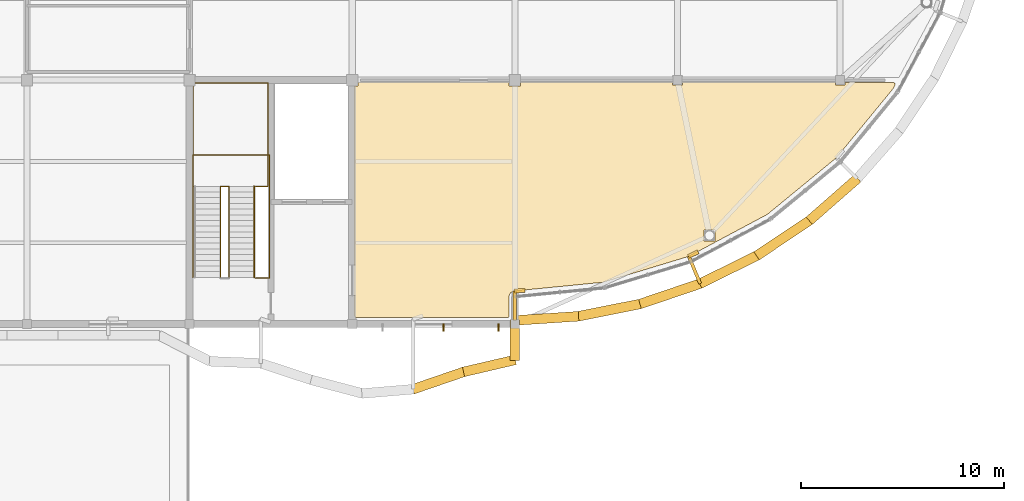
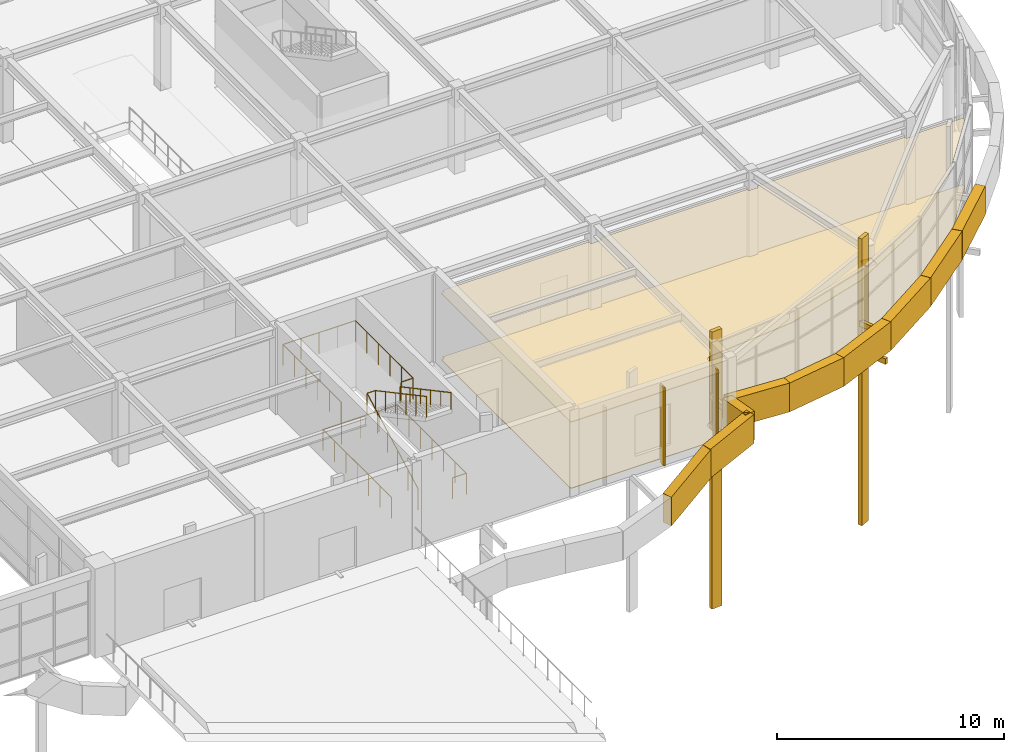
# One storey, part 57 of 63: 17 coverings, 4 railings, 2 shading devices.
"""IFC4 building model written with IfcOpenShell, lengths in metres."""

from ifc_helpers import new_model, si_unit, direction, frame, frame_2d, origin, origin_2d, place, context, subcontext, project, spatial, polyline, rectangle, circle, outline, extrude, material, layer, layer_set, type_object, element, save


model = new_model("IFC4")

# Units and contexts
model_context = context("Model", 3, precision=1e-05, world=origin(), true_north=direction((0.0, 1.0)))
body_context = subcontext(model_context, "Body", "Model", "MODEL_VIEW")
ifc_project = project(units=[si_unit("LENGTHUNIT", "METRE"), si_unit("AREAUNIT", "SQUARE_METRE"), si_unit("VOLUMEUNIT", "CUBIC_METRE"), si_unit("PLANEANGLEUNIT", "RADIAN"), si_unit("MASSUNIT", "GRAM", prefix="KILO")], contexts=[model_context])

# Site, building, storey
site_placement = place(None, origin())
site = spatial("IfcSite", under=ifc_project, at=site_placement, CompositionType="ELEMENT")
building_placement = place(site_placement, origin())
building = spatial("IfcBuilding", under=site, at=building_placement, Name="Keelwater Ferry Terminal", CompositionType="ELEMENT")
storey_placement = place(building_placement, frame((0.0, 0.0, 10.199951171875)))
storey = spatial("IfcBuildingStorey", under=building, at=storey_placement, Name="L02", CompositionType="ELEMENT", Elevation=10.199951171875)

# Coverings
ifc_material_1 = material(Name="Perforated acoustic gypsum board ceiling", Category="gypsum")
ifc_layer_1 = layer(ifc_material_1, 0.044921875)
ifc_layer_set_1 = layer_set([ifc_layer_1], Name="Perforated acoustic gypsum board ceiling")
covering_type_1 = type_object("IfcCoveringType", Name="CL-AC Acoustic Baffle Ceiling", PredefinedType="CEILING", material=ifc_layer_set_1)
covering_1_placement = place(storey_placement, frame((0.0, 0.0, 3.550048828125)))
element("IfcCovering", 1, at=covering_1_placement, inside=storey, type_object=covering_type_1, Name="Marine Chandlery Shop Acoustic Ceiling", PredefinedType="CEILING", context=body_context, shape_type="SweptSolid", body=[
    extrude(outline(polyline([(163.715087890625, 53.87890625), (163.715087890625, 53.715087890625), (164.284912109375, 53.715087890625), (164.284912109375, 53.87890625), (164.287109375, 53.8798828125), (164.294921875, 53.8798828125), (171.7548828125, 53.8798828125), (171.762939453125, 53.8798828125), (171.764892578125, 53.87890625), (171.764892578125, 53.764892578125), (172.235107421875, 53.764892578125), (172.235107421875, 53.87890625), (172.237060546875, 53.8798828125), (172.2451171875, 53.8798828125), (179.7548828125, 53.8798828125), (179.762939453125, 53.8798828125), (179.764892578125, 53.87890625), (179.764892578125, 53.764892578125), (180.235107421875, 53.764892578125), (180.235107421875, 53.87890625), (180.237060546875, 53.8798828125), (180.2451171875, 53.8798828125), (182.6298828125, 53.8798828125), (182.637939453125, 53.8798828125), (182.64599609375, 53.8779296875), (182.653076171875, 53.876953125), (182.660888671875, 53.8740234375), (182.66796875, 53.87109375), (182.674072265625, 53.866943359375), (182.680908203125, 53.862060546875), (182.68701171875, 53.85693359375), (182.69189453125, 53.85107421875), (182.697021484375, 53.843994140625), (182.700927734375, 53.837890625), (182.7041015625, 53.8310546875), (182.70703125, 53.822998046875), (182.7080078125, 53.81591796875), (182.7099609375, 53.80810546875), (182.7099609375, 53.800048828125), (182.7099609375, 53.7919921875), (182.7080078125, 53.783935546875), (182.70703125, 53.777099609375), (182.7041015625, 53.76904296875), (182.700927734375, 53.761962890625), (182.60302734375, 53.5791015625), (182.597900390625, 53.572998046875), (182.593994140625, 53.56591796875), (179.822021484375, 50.18896484375), (179.81689453125, 50.18310546875), (179.81103515625, 50.177978515625), (176.43408203125, 47.406005859375), (176.427001953125, 47.40087890625), (176.4208984375, 47.39697265625), (173.998046875, 46.10205078125), (173.889892578125, 46.0439453125), (173.883056640625, 46.041015625), (173.875, 46.0380859375), (173.867919921875, 46.037109375), (173.861083984375, 46.035888671875), (173.85693359375, 46.030029296875), (173.85107421875, 46.02490234375), (173.843994140625, 46.02001953125), (173.841064453125, 46.01806640625), (172.56103515625, 45.333984375), (172.56103515625, 45.333984375), (172.55908203125, 45.333984375), (170.467041015625, 44.698974609375), (168.37109375, 44.06298828125), (168.364013671875, 44.06201171875), (168.35595703125, 44.06005859375), (166.347900390625, 43.862060546875), (163.972900390625, 43.62890625), (163.945068359375, 43.625), (163.9189453125, 43.617919921875), (163.89306640625, 43.60888671875), (163.867919921875, 43.596923828125), (163.843994140625, 43.5830078125), (163.822021484375, 43.56591796875), (163.802001953125, 43.548095703125), (163.783935546875, 43.528076171875), (163.76708984375, 43.506103515625), (163.7529296875, 43.48193359375), (163.740966796875, 43.45703125), (163.73193359375, 43.430908203125), (163.72509765625, 43.405029296875), (163.720947265625, 43.376953125), (163.719970703125, 43.35009765625), (163.719970703125, 43.345947265625), (163.719970703125, 42.39990234375), (163.719970703125, 42.39208984375), (163.718017578125, 42.384033203125), (163.717041015625, 42.376953125), (163.714111328125, 42.368896484375), (163.7109375, 42.362060546875), (163.70703125, 42.35595703125), (163.701904296875, 42.34912109375), (163.697021484375, 42.343017578125), (163.69091796875, 42.337890625), (163.68408203125, 42.3330078125), (163.677978515625, 42.3291015625), (163.6708984375, 42.325927734375), (163.6630859375, 42.322998046875), (163.656005859375, 42.322021484375), (163.64794921875, 42.320068359375), (163.639892578125, 42.320068359375), (156.199951171875, 42.320068359375), (156.19189453125, 42.320068359375), (156.18408203125, 42.322021484375), (156.177001953125, 42.322998046875), (156.1689453125, 42.325927734375), (156.162109375, 42.3291015625), (156.156005859375, 42.3330078125), (156.14892578125, 42.337890625), (156.14306640625, 42.343017578125), (156.137939453125, 42.34912109375), (156.133056640625, 42.35595703125), (156.12890625, 42.362060546875), (156.1259765625, 42.368896484375), (156.123046875, 42.376953125), (156.1220703125, 42.384033203125), (156.1201171875, 42.39208984375), (156.1201171875, 42.39990234375), (156.1201171875, 53.705078125), (156.1201171875, 53.712890625), (156.12109375, 53.715087890625), (156.284912109375, 53.715087890625), (156.284912109375, 53.87890625), (156.287109375, 53.8798828125), (156.294921875, 53.8798828125), (163.705078125, 53.8798828125), (163.712890625, 53.8798828125), (163.715087890625, 53.87890625)]), holes=[polyline([(173.31396484375, 46.625), (173.31396484375, 46.096923828125), (173.842041015625, 46.096923828125), (173.842041015625, 46.625), (173.31396484375, 46.625)])]), origin(), (0.0, 0.0, 1.0), 0.044921875),
])
ifc_material_2 = material(Name="Polished mineral terrazzo tile", Category="stone")
ifc_layer_2 = layer(ifc_material_2, 0.030029296875)
ifc_layer_set_2 = layer_set([ifc_layer_2], Name="Polished mineral terrazzo tile")
covering_type_2 = type_object("IfcCoveringType", Name="FL-TZ Marine Terrazzo Flooring", PredefinedType="FLOORING", material=ifc_layer_set_2)
covering_2_placement = place(storey_placement, origin())
element("IfcCovering", 2, at=covering_2_placement, inside=storey, type_object=covering_type_2, Name="Marine Chandlery Shop Terrazzo Floor", PredefinedType="FLOORING", context=body_context, shape_type="SweptSolid", body=[
    extrude(outline(polyline([(163.715087890625, 53.87890625), (163.715087890625, 53.715087890625), (164.284912109375, 53.715087890625), (164.284912109375, 53.87890625), (164.287109375, 53.8798828125), (164.294921875, 53.8798828125), (171.7548828125, 53.8798828125), (171.762939453125, 53.8798828125), (171.764892578125, 53.87890625), (171.764892578125, 53.764892578125), (172.235107421875, 53.764892578125), (172.235107421875, 53.87890625), (172.237060546875, 53.8798828125), (172.2451171875, 53.8798828125), (179.7548828125, 53.8798828125), (179.762939453125, 53.8798828125), (179.764892578125, 53.87890625), (179.764892578125, 53.764892578125), (180.235107421875, 53.764892578125), (180.235107421875, 53.87890625), (180.237060546875, 53.8798828125), (180.2451171875, 53.8798828125), (182.6298828125, 53.8798828125), (182.637939453125, 53.8798828125), (182.64599609375, 53.8779296875), (182.653076171875, 53.876953125), (182.660888671875, 53.8740234375), (182.66796875, 53.87109375), (182.674072265625, 53.866943359375), (182.680908203125, 53.862060546875), (182.68701171875, 53.85693359375), (182.69189453125, 53.85107421875), (182.697021484375, 53.843994140625), (182.700927734375, 53.837890625), (182.7041015625, 53.8310546875), (182.70703125, 53.822998046875), (182.7080078125, 53.81591796875), (182.7099609375, 53.80810546875), (182.7099609375, 53.800048828125), (182.7099609375, 53.7919921875), (182.7080078125, 53.783935546875), (182.70703125, 53.777099609375), (182.7041015625, 53.76904296875), (182.700927734375, 53.761962890625), (182.60302734375, 53.5791015625), (182.597900390625, 53.572998046875), (182.593994140625, 53.56591796875), (179.822021484375, 50.18896484375), (179.81689453125, 50.18310546875), (179.81103515625, 50.177978515625), (176.43408203125, 47.406005859375), (176.427001953125, 47.40087890625), (176.4208984375, 47.39697265625), (173.998046875, 46.10205078125), (173.889892578125, 46.0439453125), (173.883056640625, 46.041015625), (173.875, 46.0380859375), (173.867919921875, 46.037109375), (173.861083984375, 46.035888671875), (173.85693359375, 46.030029296875), (173.85107421875, 46.02490234375), (173.843994140625, 46.02001953125), (173.841064453125, 46.01806640625), (172.56103515625, 45.333984375), (172.56103515625, 45.333984375), (172.55908203125, 45.333984375), (170.467041015625, 44.698974609375), (168.37109375, 44.06298828125), (168.364013671875, 44.06201171875), (168.35595703125, 44.06005859375), (166.347900390625, 43.862060546875), (163.972900390625, 43.62890625), (163.945068359375, 43.625), (163.9189453125, 43.617919921875), (163.89306640625, 43.60888671875), (163.867919921875, 43.596923828125), (163.843994140625, 43.5830078125), (163.822021484375, 43.56591796875), (163.802001953125, 43.548095703125), (163.783935546875, 43.528076171875), (163.76708984375, 43.506103515625), (163.7529296875, 43.48193359375), (163.740966796875, 43.45703125), (163.73193359375, 43.430908203125), (163.72509765625, 43.405029296875), (163.720947265625, 43.376953125), (163.719970703125, 43.35009765625), (163.719970703125, 43.345947265625), (163.719970703125, 42.39990234375), (163.719970703125, 42.39208984375), (163.718017578125, 42.384033203125), (163.717041015625, 42.376953125), (163.714111328125, 42.368896484375), (163.7109375, 42.362060546875), (163.70703125, 42.35595703125), (163.701904296875, 42.34912109375), (163.697021484375, 42.343017578125), (163.69091796875, 42.337890625), (163.68408203125, 42.3330078125), (163.677978515625, 42.3291015625), (163.6708984375, 42.325927734375), (163.6630859375, 42.322998046875), (163.656005859375, 42.322021484375), (163.64794921875, 42.320068359375), (163.639892578125, 42.320068359375), (156.199951171875, 42.320068359375), (156.19189453125, 42.320068359375), (156.18408203125, 42.322021484375), (156.177001953125, 42.322998046875), (156.1689453125, 42.325927734375), (156.162109375, 42.3291015625), (156.156005859375, 42.3330078125), (156.14892578125, 42.337890625), (156.14306640625, 42.343017578125), (156.137939453125, 42.34912109375), (156.133056640625, 42.35595703125), (156.12890625, 42.362060546875), (156.1259765625, 42.368896484375), (156.123046875, 42.376953125), (156.1220703125, 42.384033203125), (156.1201171875, 42.39208984375), (156.1201171875, 42.39990234375), (156.1201171875, 53.705078125), (156.1201171875, 53.712890625), (156.12109375, 53.715087890625), (156.284912109375, 53.715087890625), (156.284912109375, 53.87890625), (156.287109375, 53.8798828125), (156.294921875, 53.8798828125), (163.705078125, 53.8798828125), (163.712890625, 53.8798828125), (163.715087890625, 53.87890625)]), holes=[polyline([(173.31396484375, 46.625), (173.31396484375, 46.096923828125), (173.842041015625, 46.096923828125), (173.842041015625, 46.625), (173.31396484375, 46.625)])]), origin(), (0.0, 0.0, 1.0), 0.030029296875),
])

# Shading devices
ifc_material_3 = material(Name="Anodised aluminium solar fin", Category="aluminium")
ifc_layer_3 = layer(ifc_material_3, 0.074951171875)
ifc_layer_set_3 = layer_set([ifc_layer_3], Name="Anodised aluminium solar fin")
shading_device_type = type_object("IfcShadingDeviceType", Name="FN-SOL Vertical Solar Shading Fin", PredefinedType="USERDEFINED", material=ifc_layer_set_3)
for number, where, z_axis, x_axis, name in (
    (3, (160.5, 41.830078125, 0.10009765625), (0.0, 0.0, 1.0), (1.0, 0.0, 0.0), "Anodised Solar Shading Fin 24"),
    (4, (163.199951171875, 41.830078125, 0.10009765625), (0.0, 0.0, 1.0), (1.0, 0.0, 0.0), "Anodised Solar Shading Fin 26"),
):
    element("IfcShadingDevice", number, at=place(storey_placement, frame(where, z_axis=z_axis, x_axis=x_axis)), inside=storey, type_object=shading_device_type, Name=name, ObjectType="FIN", PredefinedType="USERDEFINED", context=body_context, shape_type="SweptSolid", body=[
        extrude(rectangle(XDim=0.074951171875, YDim=0.360107421875, at=origin_2d()), origin(), (0.0, 0.0, 1.0), 4.199951171875),
    ])

# Railings
ifc_material_4 = material(Name="Painted Steel S355", Category="steel")
railing_type_1 = type_object("IfcRailingType", Name="GR-115 Stair Well Guardrail", PredefinedType="GUARDRAIL", material=ifc_material_4)
railing_1_placement = place(storey_placement, frame((148.159912109375, 44.300048828125, 0.0)))
element("IfcRailing", 5, at=railing_1_placement, inside=storey, type_object=railing_type_1, Name="Stair ST-C4-L01 Shaft Perimeter Guard 81", PredefinedType="GUARDRAIL", context=body_context, shape_type="SweptSolid", body=[
    extrude(circle(Radius=0.02392578125, at=origin_2d()), frame((0.0, 0.0, 1.1259765625), z_axis=(0.0, 1.0, 0.0), x_axis=(-1.0, 0.0, 0.0)), (0.0, 0.0, 1.0), 6.02001953125),
    extrude(circle(Radius=0.02392578125, at=origin_2d()), frame((0.0, 6.02001953125, 1.1259765625), z_axis=(1.0, 0.0, 0.0), x_axis=(0.0, 1.0, 0.0)), (0.0, 0.0, 1.0), 3.780029296875),
    extrude(circle(Radius=0.02392578125, at=origin_2d()), frame((3.780029296875, 6.02001953125, 1.1259765625), z_axis=(0.0, -1.0, 0.0), x_axis=(1.0, 0.0, 0.0)), (0.0, 0.0, 1.0), 6.06005859375),
    extrude(circle(Radius=0.02392578125, at=origin_2d()), frame((3.780029296875, -0.0400390625, 1.1259765625), z_axis=(-1.0, 0.0, 0.0), x_axis=(0.0, -1.0, 0.0)), (0.0, 0.0, 1.0), 0.699951171875),
    extrude(circle(Radius=0.02099609375, at=origin_2d()), origin(), (0.0, 0.0, 1.0), 1.101806640625),
    extrude(circle(Radius=0.02099609375, at=origin_2d()), frame((0.0, 1.00341796875, 0.0)), (0.0, 0.0, 1.0), 1.101806640625),
    extrude(circle(Radius=0.02099609375, at=origin_2d()), frame((0.0, 2.006591796875, 0.0)), (0.0, 0.0, 1.0), 1.101806640625),
    extrude(circle(Radius=0.02099609375, at=origin_2d()), frame((0.0, 3.010009765625, 0.0)), (0.0, 0.0, 1.0), 1.101806640625),
    extrude(circle(Radius=0.02099609375, at=origin_2d()), frame((0.0, 4.013427734375, 0.0)), (0.0, 0.0, 1.0), 1.101806640625),
    extrude(circle(Radius=0.02099609375, at=origin_2d()), frame((0.0, 5.0166015625, 0.0)), (0.0, 0.0, 1.0), 1.101806640625),
    extrude(circle(Radius=0.02099609375, at=origin_2d()), frame((0.0, 6.02001953125, 0.0)), (0.0, 0.0, 1.0), 1.101806640625),
    extrude(circle(Radius=0.02099609375, at=origin_2d()), frame((0.945068359375, 6.02001953125, 0.0)), (0.0, 0.0, 1.0), 1.101806640625),
    extrude(circle(Radius=0.02099609375, at=origin_2d()), frame((1.89013671875, 6.02001953125, 0.0)), (0.0, 0.0, 1.0), 1.101806640625),
    extrude(circle(Radius=0.02099609375, at=origin_2d()), frame((2.8349609375, 6.02001953125, 0.0)), (0.0, 0.0, 1.0), 1.101806640625),
    extrude(circle(Radius=0.02099609375, at=origin_2d()), frame((3.780029296875, 6.02001953125, 0.0)), (0.0, 0.0, 1.0), 1.101806640625),
    extrude(circle(Radius=0.02099609375, at=origin_2d()), frame((3.780029296875, 5.010009765625, 0.0)), (0.0, 0.0, 1.0), 1.101806640625),
    extrude(circle(Radius=0.02099609375, at=origin_2d()), frame((3.780029296875, 4.0, 0.0)), (0.0, 0.0, 1.0), 1.101806640625),
    extrude(circle(Radius=0.02099609375, at=origin_2d()), frame((3.780029296875, 2.989990234375, 0.0)), (0.0, 0.0, 1.0), 1.101806640625),
    extrude(circle(Radius=0.02099609375, at=origin_2d()), frame((3.780029296875, 1.97998046875, 0.0)), (0.0, 0.0, 1.0), 1.101806640625),
    extrude(circle(Radius=0.02099609375, at=origin_2d()), frame((3.780029296875, 0.969970703125, 0.0)), (0.0, 0.0, 1.0), 1.101806640625),
    extrude(circle(Radius=0.02099609375, at=origin_2d()), frame((3.780029296875, -0.0400390625, 0.0)), (0.0, 0.0, 1.0), 1.101806640625),
    extrude(circle(Radius=0.02099609375, at=origin_2d()), frame((3.080078125, -0.0400390625, 0.0)), (0.0, 0.0, 1.0), 1.101806640625),
])
railing_2_placement = place(storey_placement, frame((149.510009765625, 44.300048828125, 0.0)))
element("IfcRailing", 6, at=railing_2_placement, inside=storey, type_object=railing_type_1, Name="Stair ST-C4-L02 Inner Well Guard 82", PredefinedType="GUARDRAIL", context=body_context, shape_type="SweptSolid", body=[
    extrude(circle(Radius=0.02392578125, at=origin_2d()), frame((0.0, 0.0, 1.1259765625), z_axis=(0.0, 0.881467115574, 0.472245406714), x_axis=(-1.0, 0.0, 0.0)), (0.0, 0.0, 1.0), 5.08251953125),
    extrude(circle(Radius=0.02392578125, at=origin_2d()), frame((0.0, 4.47998046875, 3.52587890625), z_axis=(1.0, 0.0, 0.0), x_axis=(0.0, 1.0, 0.0)), (0.0, 0.0, 1.0), 0.419921875),
    extrude(circle(Radius=0.02392578125, at=origin_2d()), frame((0.419921875, 4.47998046875, 3.52587890625), z_axis=(0.0, -0.881487111273, 0.472208081951), x_axis=(1.0, 0.0, 0.0)), (0.0, 0.0, 1.0), 5.082275390625),
    extrude(circle(Radius=0.02099609375, at=origin_2d()), origin(), (0.0, 0.0, 1.0), 1.101806640625),
    extrude(circle(Radius=0.02099609375, at=origin_2d()), frame((0.0, 0.89599609375, 0.47998046875)), (0.0, 0.0, 1.0), 1.101806640625),
    extrude(circle(Radius=0.02099609375, at=origin_2d()), frame((0.0, 1.7919921875, 0.9599609375)), (0.0, 0.0, 1.0), 1.101806640625),
    extrude(circle(Radius=0.02099609375, at=origin_2d()), frame((0.0, 2.68798828125, 1.440185546875)), (0.0, 0.0, 1.0), 1.101806640625),
    extrude(circle(Radius=0.02099609375, at=origin_2d()), frame((0.0, 3.583984375, 1.920166015625)), (0.0, 0.0, 1.0), 1.101806640625),
    extrude(circle(Radius=0.02099609375, at=origin_2d()), frame((0.0, 4.47998046875, 2.400146484375)), (0.0, 0.0, 1.0), 1.101806640625),
    extrude(circle(Radius=0.02099609375, at=origin_2d()), frame((0.419921875, 4.47998046875, 2.400146484375)), (0.0, 0.0, 1.0), 1.101806640625),
    extrude(circle(Radius=0.02099609375, at=origin_2d()), frame((0.419921875, 3.583984375, 2.880126953125)), (0.0, 0.0, 1.0), 1.101806640625),
    extrude(circle(Radius=0.02099609375, at=origin_2d()), frame((0.419921875, 2.68798828125, 3.360107421875)), (0.0, 0.0, 1.0), 1.101806640625),
    extrude(circle(Radius=0.02099609375, at=origin_2d()), frame((0.419921875, 1.7919921875, 3.840087890625)), (0.0, 0.0, 1.0), 1.101806640625),
    extrude(circle(Radius=0.02099609375, at=origin_2d()), frame((0.419921875, 0.89599609375, 4.320068359375)), (0.0, 0.0, 1.0), 1.101806640625),
    extrude(circle(Radius=0.02099609375, at=origin_2d()), frame((0.419921875, 0.0, 4.800048828125)), (0.0, 0.0, 1.0), 1.101806640625),
])
railing_3_placement = place(storey_placement, frame((148.199951171875, 48.780029296875, 2.400146484375)))
element("IfcRailing", 7, at=railing_3_placement, inside=storey, type_object=railing_type_1, Name="Stair ST-C4-L02 Half-Landing Guard 83", PredefinedType="GUARDRAIL", context=body_context, shape_type="SweptSolid", body=[
    extrude(circle(Radius=0.02392578125, at=origin_2d()), frame((0.0, 0.0, 1.1259765625), z_axis=(-1.0, 0.0, 0.0), x_axis=(0.0, -1.0, 0.0)), (0.0, 0.0, 1.0), 0.02001953125),
    extrude(circle(Radius=0.02392578125, at=origin_2d()), frame((-0.02001953125, 0.0, 1.1259765625), z_axis=(0.0, 1.0, 0.0), x_axis=(-1.0, 0.0, 0.0)), (0.0, 0.0, 1.0), 5.090087890625),
    extrude(circle(Radius=0.02392578125, at=origin_2d()), frame((-0.02001953125, 5.090087890625, 1.1259765625), z_axis=(1.0, 0.0, 0.0), x_axis=(0.0, 1.0, 0.0)), (0.0, 0.0, 1.0), 3.670166015625),
    extrude(circle(Radius=0.02392578125, at=origin_2d()), frame((3.650146484375, 5.090087890625, 1.1259765625), z_axis=(0.0, -1.0, 0.0), x_axis=(1.0, 0.0, 0.0)), (0.0, 0.0, 1.0), 5.090087890625),
    extrude(circle(Radius=0.02392578125, at=origin_2d()), frame((3.650146484375, 0.0, 1.1259765625), z_axis=(-1.0, 0.0, 0.0), x_axis=(0.0, -1.0, 0.0)), (0.0, 0.0, 1.0), 0.610107421875),
    extrude(circle(Radius=0.02099609375, at=origin_2d()), origin(), (0.0, 0.0, 1.0), 1.101806640625),
    extrude(circle(Radius=0.02099609375, at=origin_2d()), frame((-0.02001953125, 0.0, 0.0)), (0.0, 0.0, 1.0), 1.101806640625),
    extrude(circle(Radius=0.02099609375, at=origin_2d()), frame((-0.02001953125, 1.01806640625, 0.0)), (0.0, 0.0, 1.0), 1.101806640625),
    extrude(circle(Radius=0.02099609375, at=origin_2d()), frame((-0.02001953125, 2.0361328125, 0.0)), (0.0, 0.0, 1.0), 1.101806640625),
    extrude(circle(Radius=0.02099609375, at=origin_2d()), frame((-0.02001953125, 3.053955078125, 0.0)), (0.0, 0.0, 1.0), 1.101806640625),
    extrude(circle(Radius=0.02099609375, at=origin_2d()), frame((-0.02001953125, 4.072021484375, 0.0)), (0.0, 0.0, 1.0), 1.101806640625),
    extrude(circle(Radius=0.02099609375, at=origin_2d()), frame((-0.02001953125, 5.090087890625, 0.0)), (0.0, 0.0, 1.0), 1.101806640625),
    extrude(circle(Radius=0.02099609375, at=origin_2d()), frame((0.8974609375, 5.090087890625, 0.0)), (0.0, 0.0, 1.0), 1.101806640625),
    extrude(circle(Radius=0.02099609375, at=origin_2d()), frame((1.81494140625, 5.090087890625, 0.0)), (0.0, 0.0, 1.0), 1.101806640625),
    extrude(circle(Radius=0.02099609375, at=origin_2d()), frame((2.732666015625, 5.090087890625, 0.0)), (0.0, 0.0, 1.0), 1.101806640625),
    extrude(circle(Radius=0.02099609375, at=origin_2d()), frame((3.650146484375, 5.090087890625, 0.0)), (0.0, 0.0, 1.0), 1.101806640625),
    extrude(circle(Radius=0.02099609375, at=origin_2d()), frame((3.650146484375, 4.072021484375, 0.0)), (0.0, 0.0, 1.0), 1.101806640625),
    extrude(circle(Radius=0.02099609375, at=origin_2d()), frame((3.650146484375, 3.053955078125, 0.0)), (0.0, 0.0, 1.0), 1.101806640625),
    extrude(circle(Radius=0.02099609375, at=origin_2d()), frame((3.650146484375, 2.0361328125, 0.0)), (0.0, 0.0, 1.0), 1.101806640625),
    extrude(circle(Radius=0.02099609375, at=origin_2d()), frame((3.650146484375, 1.01806640625, 0.0)), (0.0, 0.0, 1.0), 1.101806640625),
    extrude(circle(Radius=0.02099609375, at=origin_2d()), frame((3.650146484375, 0.0, 0.0)), (0.0, 0.0, 1.0), 1.101806640625),
    extrude(circle(Radius=0.02099609375, at=origin_2d()), frame((3.0400390625, 0.0, 0.0)), (0.0, 0.0, 1.0), 1.101806640625),
])
ifc_material_5 = material(Name="Brushed stainless steel handrail", Category="steel")
railing_type_2 = type_object("IfcRailingType", Name="HR-920 Stair Pitch Handrail", PredefinedType="HANDRAIL", material=ifc_material_5)
railing_4_placement = place(storey_placement, frame((151.179931640625, 48.780029296875, 2.400146484375)))
element("IfcRailing", 8, at=railing_4_placement, inside=storey, type_object=railing_type_2, Name="Stair ST-C4-L02 Flight 2 Handrail 85", PredefinedType="HANDRAIL", context=body_context, shape_type="SweptSolid", body=[
    extrude(circle(Radius=0.02392578125, at=origin_2d()), frame((0.0, 0.0, 0.89599609375), z_axis=(0.0, -0.881487111273, 0.472208081951), x_axis=(1.0, 0.0, 0.0)), (0.0, 0.0, 1.0), 5.082275390625),
    extrude(circle(Radius=0.02099609375, at=origin_2d()), origin(), (0.0, 0.0, 1.0), 0.871826171875),
    extrude(circle(Radius=0.02099609375, at=origin_2d()), frame((0.0, -0.89599609375, 0.47998046875)), (0.0, 0.0, 1.0), 0.871826171875),
    extrude(circle(Radius=0.02099609375, at=origin_2d()), frame((0.0, -1.7919921875, 0.9599609375)), (0.0, 0.0, 1.0), 0.871826171875),
    extrude(circle(Radius=0.02099609375, at=origin_2d()), frame((0.0, -2.68798828125, 1.43994140625)), (0.0, 0.0, 1.0), 0.871826171875),
    extrude(circle(Radius=0.02099609375, at=origin_2d()), frame((0.0, -3.583984375, 1.919921875)), (0.0, 0.0, 1.0), 0.871826171875),
    extrude(circle(Radius=0.02099609375, at=origin_2d()), frame((0.0, -4.47998046875, 2.39990234375)), (0.0, 0.0, 1.0), 0.871826171875),
])

# Coverings
ifc_material_6 = material(Name="Matte white architectural aluminium fascia ribbon", Category="aluminium")
ifc_layer_4 = layer(ifc_material_6, 0.1201171875)
ifc_layer_set_4 = layer_set([ifc_layer_4], Name="Matte white architectural aluminium fascia ribbon")
covering_type_3 = type_object("IfcCoveringType", Name="RB-WHT Matte White Fascia Ribbon", PredefinedType="CLADDING", material=ifc_layer_set_4)
covering_3_placement = place(storey_placement, frame((158.97607421875, 38.791015625, -0.751953125), z_axis=(0.0, 0.0, 1.0), x_axis=(0.946003140815, 0.324157457987, 0.0)))
element("IfcCovering", 9, at=covering_3_placement, inside=storey, type_object=covering_type_3, Name="Concourse Upper Wave Fascia Ribbon 601", PredefinedType="CLADDING", context=body_context, shape_type="SweptSolid", body=[
    extrude(outline(polyline([(0.0, 0.0), (2.693359375, 1.19091796875), (2.693359375, 2.740966796875), (0.0, 1.550048828125), (0.0, 0.0)])), frame((0.0, 0.239990234375, 0.0), z_axis=(0.0, -1.0, 0.0), x_axis=(1.0, 0.0, 0.0)), (0.0, 0.0, 1.0), 0.47998046875),
])
covering_4_placement = place(storey_placement, frame((161.47607421875, 39.64990234375, 0.43896484375), z_axis=(0.0, 0.0, 1.0), x_axis=(0.973966350755, 0.226692628017, 0.0)))
element("IfcCovering", 10, at=covering_4_placement, inside=storey, type_object=covering_type_3, Name="Concourse Upper Wave Fascia Ribbon 611", PredefinedType="CLADDING", context=body_context, shape_type="SweptSolid", body=[
    extrude(outline(polyline([(0.0, 0.0), (2.615966796875, 0.615966796875), (2.615966796875, 2.166015625), (0.0, 1.550048828125), (0.0, 0.0)])), frame((0.0, 0.239990234375, 0.0), z_axis=(0.0, -1.0, 0.0), x_axis=(1.0, 0.0, 0.0)), (0.0, 0.0, 1.0), 0.47998046875),
])
covering_5_placement = place(storey_placement, frame((164.0, 40.2119140625, 0.7021484375), z_axis=(0.0, 0.0, 1.0), x_axis=(0.0, 1.0, 0.0)))
element("IfcCovering", 11, at=covering_5_placement, inside=storey, type_object=covering_type_3, Name="Concourse Upper Wave Fascia Ribbon 615", PredefinedType="CLADDING", context=body_context, shape_type="SweptSolid", body=[
    extrude(outline(polyline([(0.0, 0.352783203125), (1.9931640625, 0.0), (1.9931640625, 1.5498046875), (0.0, 1.90283203125), (0.0, 0.352783203125)])), frame((0.0, 0.239990234375, 0.0), z_axis=(0.0, -1.0, 0.0), x_axis=(1.0, 0.0, 0.0)), (0.0, 0.0, 1.0), 0.47998046875),
])
covering_6_placement = place(storey_placement, frame((163.97509765625, 42.177978515625, 0.383056640625), z_axis=(0.0, 0.0, 1.0), x_axis=(0.997839082041, 0.065705147067, 0.0)))
element("IfcCovering", 12, at=covering_6_placement, inside=storey, type_object=covering_type_3, Name="Concourse Upper Wave Fascia Ribbon 619", PredefinedType="CLADDING", context=body_context, shape_type="SweptSolid", body=[
    extrude(outline(polyline([(0.0, 0.319091796875), (3.165771484375, 0.0), (3.165771484375, 1.550048828125), (0.0, 1.868896484375), (0.0, 0.319091796875)])), frame((0.0, 0.239990234375, 0.0), z_axis=(0.0, -1.0, 0.0), x_axis=(1.0, 0.0, 0.0)), (0.0, 0.0, 1.0), 0.47998046875),
])
covering_7_placement = place(storey_placement, frame((164.0, 42.179931640625, 1.337158203125), z_axis=(0.0, 0.0, 1.0), x_axis=(0.0, 1.0, 0.0)))
element("IfcCovering", 13, at=covering_7_placement, inside=storey, type_object=covering_type_3, Name="Ribbon Horizontal Tie Bracket 623", PredefinedType="CLADDING", context=body_context, shape_type="SweptSolid", body=[
    extrude(rectangle(XDim=1.449951171875, YDim=0.159912109375, at=frame_2d((0.72509765625, 0.0))), origin(), (0.0, 0.0, 1.0), 0.27978515625),
])
covering_8_placement = place(storey_placement, frame((164.0, 42.179931640625, -0.25), z_axis=(0.0, 0.0, 1.0), x_axis=(0.0, 1.0, 0.0)))
element("IfcCovering", 14, at=covering_8_placement, inside=storey, type_object=covering_type_3, Name="Ribbon Slab Tie Bracket 626", PredefinedType="CLADDING", context=body_context, shape_type="SweptSolid", body=[
    extrude(rectangle(XDim=1.449951171875, YDim=0.159912109375, at=frame_2d((0.72509765625, 0.0))), origin(), (0.0, 0.0, 1.0), 0.300048828125),
])
covering_9_placement = place(storey_placement, frame((163.97509765625, 43.6279296875, -9.949951171875), z_axis=(0.0, 0.0, 1.0), x_axis=(0.997797371, 0.066335559291, 0.0)))
element("IfcCovering", 15, at=covering_9_placement, inside=storey, type_object=covering_type_3, Name="Ribbon Recessed Support Mullion 628", PredefinedType="CLADDING", context=body_context, shape_type="SweptSolid", body=[
    extrude(outline(polyline([(0.0, 0.0), (0.530029296875, 0.0), (0.530029296875, 14.8701171875), (0.0, 14.8701171875), (0.0, 0.0)])), frame((0.0, 0.10009765625, 0.0), z_axis=(0.0, -1.0, 0.0), x_axis=(1.0, 0.0, 0.0)), (0.0, 0.0, 1.0), 0.199951171875),
])
covering_10_placement = place(storey_placement, frame((167.083984375, 42.37890625, 0.287109375), z_axis=(0.0, 0.0, 1.0), x_axis=(0.98076407959, 0.195196875454, 0.0)))
element("IfcCovering", 16, at=covering_10_placement, inside=storey, type_object=covering_type_3, Name="Concourse Upper Wave Fascia Ribbon 631", PredefinedType="CLADDING", context=body_context, shape_type="SweptSolid", body=[
    extrude(outline(polyline([(0.0, 0.095947265625), (3.1669921875, 0.0), (3.1669921875, 1.550048828125), (0.0, 1.64599609375), (0.0, 0.095947265625)])), frame((0.0, 0.239990234375, 0.0), z_axis=(0.0, -1.0, 0.0), x_axis=(1.0, 0.0, 0.0)), (0.0, 0.0, 1.0), 0.47998046875),
])
covering_11_placement = place(storey_placement, frame((170.14111328125, 42.98388671875, 0.287109375), z_axis=(0.0, 0.0, 1.0), x_axis=(0.94701262585, 0.321196336342, 0.0)))
element("IfcCovering", 17, at=covering_11_placement, inside=storey, type_object=covering_type_3, Name="Concourse Upper Wave Fascia Ribbon 635", PredefinedType="CLADDING", context=body_context, shape_type="SweptSolid", body=[
    extrude(outline(polyline([(0.0, 0.0), (3.16650390625, 0.27685546875), (3.16650390625, 1.826904296875), (0.0, 1.550048828125), (0.0, 0.0)])), frame((0.0, 0.239990234375, 0.0), z_axis=(0.0, -1.0, 0.0), x_axis=(1.0, 0.0, 0.0)), (0.0, 0.0, 1.0), 0.47998046875),
])
covering_12_placement = place(storey_placement, frame((173.093994140625, 43.98193359375, 0.56396484375), z_axis=(0.0, 0.0, 1.0), x_axis=(0.896790782987, 0.442454846905, 0.0)))
element("IfcCovering", 18, at=covering_12_placement, inside=storey, type_object=covering_type_3, Name="Concourse Upper Wave Fascia Ribbon 639", PredefinedType="CLADDING", context=body_context, shape_type="SweptSolid", body=[
    extrude(outline(polyline([(0.0, 0.0), (3.16455078125, 0.526123046875), (3.16455078125, 2.076171875), (0.0, 1.550048828125), (0.0, 0.0)])), frame((0.0, 0.239990234375, 0.0), z_axis=(0.0, -1.0, 0.0), x_axis=(1.0, 0.0, 0.0)), (0.0, 0.0, 1.0), 0.47998046875),
])
covering_13_placement = place(storey_placement, frame((173.115966796875, 43.992919921875, 1.198974609375), z_axis=(0.0, 0.0, 1.0), x_axis=(-0.382594606681, 0.923916320312, 0.0)))
element("IfcCovering", 19, at=covering_13_placement, inside=storey, type_object=covering_type_3, Name="Ribbon Horizontal Tie Bracket 643", PredefinedType="CLADDING", context=body_context, shape_type="SweptSolid", body=[
    extrude(rectangle(XDim=1.450439453125, YDim=0.159912109375, at=frame_2d((0.72509765625, 0.0))), origin(), (0.0, 0.0, 1.0), 0.280029296875),
])
covering_14_placement = place(storey_placement, frame((173.115966796875, 43.992919921875, -0.25), z_axis=(0.0, 0.0, 1.0), x_axis=(-0.382594606681, 0.923916320312, 0.0)))
element("IfcCovering", 20, at=covering_14_placement, inside=storey, type_object=covering_type_3, Name="Ribbon Slab Tie Bracket 646", PredefinedType="CLADDING", context=body_context, shape_type="SweptSolid", body=[
    extrude(rectangle(XDim=1.450439453125, YDim=0.159912109375, at=frame_2d((0.72509765625, 0.0))), origin(), (0.0, 0.0, 1.0), 0.300048828125),
])
covering_15_placement = place(storey_placement, frame((172.5390625, 45.322021484375, -9.52001953125), z_axis=(0.0, 0.0, 1.0), x_axis=(0.897086304979, 0.441855362555, 0.0)))
element("IfcCovering", 21, at=covering_15_placement, inside=storey, type_object=covering_type_3, Name="Ribbon Recessed Support Mullion 648", PredefinedType="CLADDING", context=body_context, shape_type="SweptSolid", body=[
    extrude(outline(polyline([(0.0, 0.0), (0.529296875, 0.0), (0.529296875, 15.39599609375), (0.0, 15.39599609375), (0.0, 0.0)])), frame((0.0, 0.10009765625, 0.0), z_axis=(0.0, -1.0, 0.0), x_axis=(1.0, 0.0, 0.0)), (0.0, 0.0, 1.0), 0.199951171875),
])
covering_16_placement = place(storey_placement, frame((175.888916015625, 45.35693359375, 1.090087890625), z_axis=(0.0, 0.0, 1.0), x_axis=(0.831516144614, 0.55550058618, 0.0)))
element("IfcCovering", 22, at=covering_16_placement, inside=storey, type_object=covering_type_3, Name="Concourse Upper Wave Fascia Ribbon 651", PredefinedType="CLADDING", context=body_context, shape_type="SweptSolid", body=[
    extrude(outline(polyline([(0.0, 0.0), (3.16650390625, 0.541015625), (3.16650390625, 2.091064453125), (0.0, 1.550048828125), (0.0, 0.0)])), frame((0.0, 0.239990234375, 0.0), z_axis=(0.0, -1.0, 0.0), x_axis=(1.0, 0.0, 0.0)), (0.0, 0.0, 1.0), 0.47998046875),
])
covering_17_placement = place(storey_placement, frame((178.48193359375, 47.0859375, 1.631103515625), z_axis=(0.0, 0.0, 1.0), x_axis=(0.75186441018, 0.65931776004, 0.0)))
element("IfcCovering", 23, at=covering_17_placement, inside=storey, type_object=covering_type_3, Name="Concourse Upper Wave Fascia Ribbon 655", PredefinedType="CLADDING", context=body_context, shape_type="SweptSolid", body=[
    extrude(outline(polyline([(0.0, 0.0), (3.16552734375, 0.31689453125), (3.16552734375, 1.866943359375), (0.0, 1.550048828125), (0.0, 0.0)])), frame((0.0, 0.239990234375, 0.0), z_axis=(0.0, -1.0, 0.0), x_axis=(1.0, 0.0, 0.0)), (0.0, 0.0, 1.0), 0.47998046875),
])

save(model, "model.ifc")
